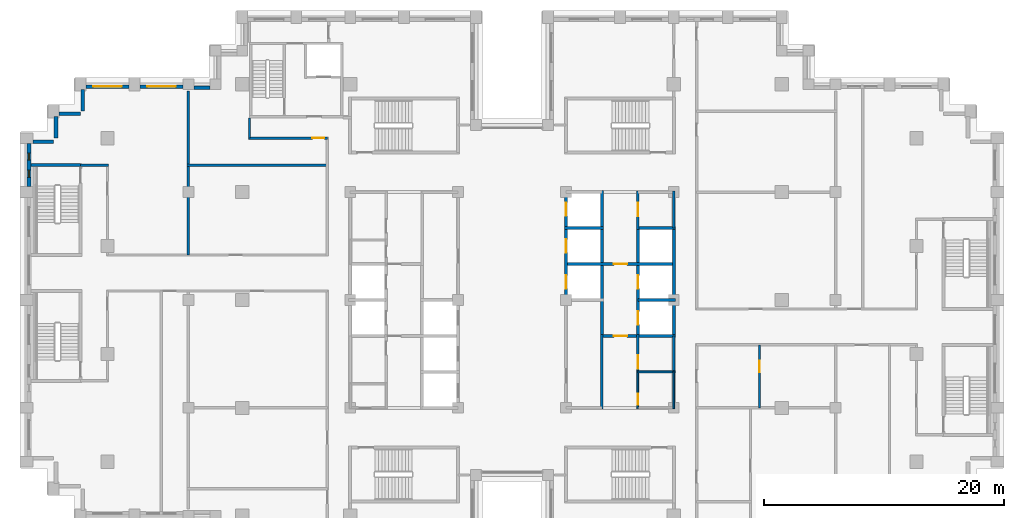
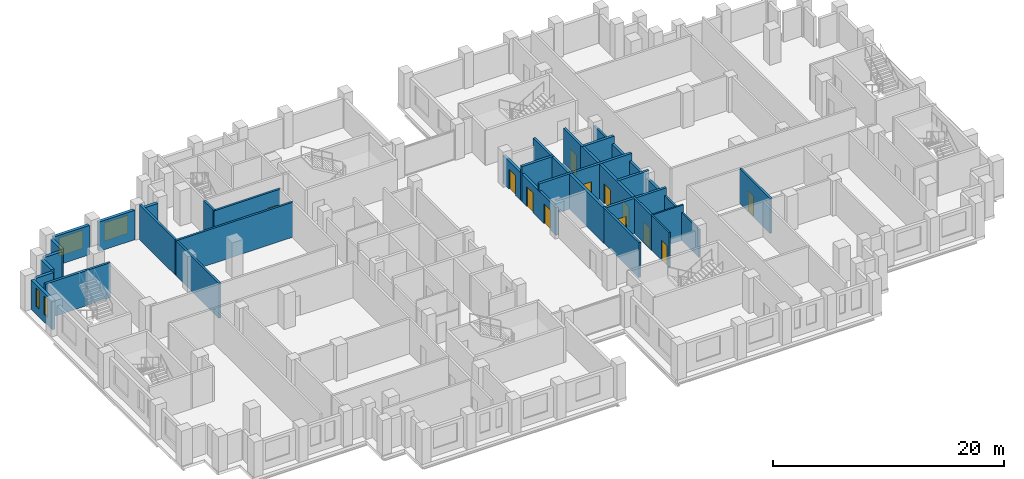
# One storey, part 9 of 15: 32 walls, 12 doors, 4 windows, 16 openings.
"""IFC4 building model written with IfcOpenShell, lengths in metres."""

from ifc_helpers import new_model, si_unit, direction, frame, frame_2d, origin, place, context, subcontext, project, spatial, rectangle, extrude, material, layer, layer_set, type_object, element, fill, save


model = new_model("IFC4")

# Units and contexts
model_context = context("Model", 3, precision=1e-05, world=origin(), true_north=direction((0.0, 1.0)))
body_context = subcontext(model_context, "Body", "Model", "MODEL_VIEW")
ifc_project = project(units=[si_unit("LENGTHUNIT", "METRE"), si_unit("AREAUNIT", "SQUARE_METRE"), si_unit("VOLUMEUNIT", "CUBIC_METRE"), si_unit("PLANEANGLEUNIT", "RADIAN"), si_unit("MASSUNIT", "GRAM", prefix="KILO")], contexts=[model_context])

# Site, building, storey
site_placement = place(None, origin())
site = spatial("IfcSite", under=ifc_project, at=site_placement, CompositionType="ELEMENT")
building_placement = place(site_placement, origin())
building = spatial("IfcBuilding", under=site, at=building_placement, Name="Corbelhall Arena Tower", CompositionType="ELEMENT")
storey_placement = place(building_placement, frame((0.0, 0.0, 146.0)))
storey = spatial("IfcBuildingStorey", under=building, at=storey_placement, Name="L28", CompositionType="ELEMENT", Elevation=146.0)

# Walls
ifc_material_1 = material(Name="Precast concrete C40/50 with granite facing", Category="masonry")
ifc_layer_1 = layer(ifc_material_1, 0.300048828125)
ifc_layer_set_1 = layer_set([ifc_layer_1], Name="EV-IW1 Infill panel 300")
wall_type_1 = type_object("IfcWallType", Name="EV-IW1 Infill panel 300", PredefinedType="SOLIDWALL", material=ifc_layer_set_1)
for number, where, z_axis, x_axis, name in (
    (1, (-35.800048828125, 17.550048828125, 0.0), (0.0, 0.0, 1.0), (0.0, -1.0, 0.0), "Infill panel IW1"),
    (2, (-37.800048828125, 15.550048828125, 0.0), (0.0, 0.0, 1.0), (1.0, 0.0, 0.0), "Infill panel IW1"),
    (3, (-38.050048828125, 15.300048828125, 0.0), (0.0, 0.0, 1.0), (0.0, -1.0, 0.0), "Infill panel IW1"),
):
    element("IfcWall", number, at=place(storey_placement, frame(where, z_axis=z_axis, x_axis=x_axis)), inside=storey, type_object=wall_type_1, Name=name, PredefinedType="SOLIDWALL", context=body_context, shape_type="SweptSolid", body=[
        extrude(rectangle(XDim=1.800048828125, YDim=0.300048828125, at=frame_2d((0.89990234375, 0.0))), origin(), (0.0, 0.0, 1.0), 3.10009765625),
    ])
wall_1_placement = place(storey_placement, frame((-39.949951171875, 13.199951171875, 0.0), z_axis=(0.0, 0.0, 1.0), x_axis=(1.0, 0.0, 0.0)))
element("IfcWall", 4, at=wall_1_placement, inside=storey, type_object=wall_type_1, Name="Infill panel IW1", PredefinedType="SOLIDWALL", context=body_context, shape_type="SweptSolid", body=[
    extrude(rectangle(XDim=1.699951171875, YDim=0.300048828125, at=frame_2d((0.85009765625, 0.0))), origin(), (0.0, 0.0, 1.0), 3.10009765625),
])
wall_2_placement = place(storey_placement, frame((-25.199951171875, 17.699951171875, 0.0), z_axis=(0.0, 0.0, 1.0), x_axis=(-1.0, 0.0, 0.0)))
element("IfcWall", 5, at=wall_2_placement, inside=storey, type_object=wall_type_1, Name="Infill panel IW1", PredefinedType="SOLIDWALL", context=body_context, shape_type="SweptSolid", body=[
    extrude(rectangle(XDim=1.35009765625, YDim=0.300048828125, at=frame_2d((0.675048828125, 0.0))), origin(), (0.0, 0.0, 1.0), 3.10009765625),
])

# Wall, opening, window
wall_3_placement = place(storey_placement, frame((-27.449951171875, 17.800048828125, 0.0), z_axis=(0.0, 0.0, 1.0), x_axis=(-1.0, 0.0, 0.0)))
wall_3 = element("IfcWall", 6, at=wall_3_placement, inside=storey, type_object=wall_type_1, Name="Infill panel IW1", PredefinedType="SOLIDWALL", context=body_context, shape_type="SweptSolid", body=[
    extrude(rectangle(XDim=3.60009765625, YDim=0.300048828125, at=frame_2d((1.800048828125, 0.0))), origin(), (0.0, 0.0, 1.0), 3.10009765625),
])
opening_1_placement = place(wall_3_placement, frame((0.60009765625, 0.0, 0.800048828125)))
opening_1 = element("IfcOpeningElement", 7, at=opening_1_placement, cuts=wall_3, Name="Opening WN1", PredefinedType="OPENING", context=body_context, shape_type="SweptSolid", body=[
    extrude(rectangle(XDim=2.39990234375, YDim=1.949951171875, at=frame_2d((1.199951171875, 0.97509765625))), frame((0.0, 0.14990234375, 0.0), z_axis=(0.0, -1.0, 0.0), x_axis=(1.0, 0.0, 0.0)), (0.0, 0.0, 1.0), 0.300048828125),
])
ifc_material_2 = material(Name="Aluminium black anodised", Category="aluminium")
window_type_1 = type_object("IfcWindowType", Name="EV-WN1 Office window", PartitioningType="SINGLE_PANEL", PredefinedType="WINDOW", material=ifc_material_2)
window_1_placement = place(opening_1_placement, origin())
window_1 = element("IfcWindow", 8, at=window_1_placement, inside=storey, type_object=window_type_1, Name="Window WN1", OverallHeight=1.949951171875, OverallWidth=2.39990234375, PartitioningType="SINGLE_PANEL", PredefinedType="WINDOW", context=body_context, shape_type="SweptSolid", body=[
    extrude(rectangle(XDim=2.39990234375, YDim=1.949951171875, at=frame_2d((1.199951171875, 0.97509765625))), frame((0.0, 0.030029296875, 0.0), z_axis=(0.0, -1.0, 0.0), x_axis=(1.0, 0.0, 0.0)), (0.0, 0.0, 1.0), 0.06005859375),
])
fill(opening_1, window_1)

wall_4_placement = place(storey_placement, frame((-31.949951171875, 17.800048828125, 0.0), z_axis=(0.0, 0.0, 1.0), x_axis=(-1.0, 0.0, 0.0)))
wall_4 = element("IfcWall", 9, at=wall_4_placement, inside=storey, type_object=wall_type_1, Name="Infill panel IW1", PredefinedType="SOLIDWALL", context=body_context, shape_type="SweptSolid", body=[
    extrude(rectangle(XDim=3.60009765625, YDim=0.300048828125, at=frame_2d((1.800048828125, 0.0))), origin(), (0.0, 0.0, 1.0), 3.10009765625),
])
opening_2_placement = place(wall_4_placement, frame((0.60009765625, 0.0, 0.800048828125)))
opening_2 = element("IfcOpeningElement", 10, at=opening_2_placement, cuts=wall_4, Name="Opening WN1", PredefinedType="OPENING", context=body_context, shape_type="SweptSolid", body=[
    extrude(rectangle(XDim=2.39990234375, YDim=1.949951171875, at=frame_2d((1.199951171875, 0.97509765625))), frame((0.0, 0.14990234375, 0.0), z_axis=(0.0, -1.0, 0.0), x_axis=(1.0, 0.0, 0.0)), (0.0, 0.0, 1.0), 0.300048828125),
])
window_2_placement = place(opening_2_placement, origin())
window_2 = element("IfcWindow", 11, at=window_2_placement, inside=storey, type_object=window_type_1, Name="Window WN1", OverallHeight=1.949951171875, OverallWidth=2.39990234375, PartitioningType="SINGLE_PANEL", PredefinedType="WINDOW", context=body_context, shape_type="SweptSolid", body=[
    extrude(rectangle(XDim=2.39990234375, YDim=1.949951171875, at=frame_2d((1.199951171875, 0.97509765625))), frame((0.0, 0.030029296875, 0.0), z_axis=(0.0, -1.0, 0.0), x_axis=(1.0, 0.0, 0.0)), (0.0, 0.0, 1.0), 0.06005859375),
])
fill(opening_2, window_2)

# Wall, openings, windows
wall_5_placement = place(storey_placement, frame((-40.300048828125, 13.050048828125, 0.0), z_axis=(0.0, 0.0, 1.0), x_axis=(0.0, -1.0, 0.0)))
wall_5 = element("IfcWall", 12, at=wall_5_placement, inside=storey, type_object=wall_type_1, Name="Infill panel IW1", PredefinedType="SOLIDWALL", context=body_context, shape_type="SweptSolid", body=[
    extrude(rectangle(XDim=3.60009765625, YDim=0.300048828125, at=frame_2d((1.800048828125, 0.0))), origin(), (0.0, 0.0, 1.0), 3.10009765625),
])
opening_3_placement = place(wall_5_placement, frame((0.78759765625, 0.0, 0.800048828125)))
opening_3 = element("IfcOpeningElement", 13, at=opening_3_placement, cuts=wall_5, Name="Opening WN5", PredefinedType="OPENING", context=body_context, shape_type="SweptSolid", body=[
    extrude(rectangle(XDim=0.60009765625, YDim=1.949951171875, at=frame_2d((0.300048828125, 0.97509765625))), frame((0.0, 0.14990234375, 0.0), z_axis=(0.0, -1.0, 0.0), x_axis=(1.0, 0.0, 0.0)), (0.0, 0.0, 1.0), 0.300048828125),
])
opening_4_placement = place(wall_5_placement, frame((2.21240234375, 0.0, 0.800048828125)))
opening_4 = element("IfcOpeningElement", 14, at=opening_4_placement, cuts=wall_5, Name="Opening WN5", PredefinedType="OPENING", context=body_context, shape_type="SweptSolid", body=[
    extrude(rectangle(XDim=0.60009765625, YDim=1.949951171875, at=frame_2d((0.300048828125, 0.97509765625))), frame((0.0, 0.14990234375, 0.0), z_axis=(0.0, -1.0, 0.0), x_axis=(1.0, 0.0, 0.0)), (0.0, 0.0, 1.0), 0.300048828125),
])
window_type_2 = type_object("IfcWindowType", Name="EV-WN5 Office window 600", PartitioningType="SINGLE_PANEL", PredefinedType="WINDOW", material=ifc_material_2)
window_3_placement = place(opening_3_placement, origin())
window_3 = element("IfcWindow", 15, at=window_3_placement, inside=storey, type_object=window_type_2, Name="Window WN5", OverallHeight=1.949951171875, OverallWidth=0.60009765625, PartitioningType="SINGLE_PANEL", PredefinedType="WINDOW", context=body_context, shape_type="SweptSolid", body=[
    extrude(rectangle(XDim=0.60009765625, YDim=1.949951171875, at=frame_2d((0.300048828125, 0.97509765625))), frame((0.0, 0.030029296875, 0.0), z_axis=(0.0, -1.0, 0.0), x_axis=(1.0, 0.0, 0.0)), (0.0, 0.0, 1.0), 0.06005859375),
])
fill(opening_3, window_3)
window_4_placement = place(opening_4_placement, origin())
window_4 = element("IfcWindow", 16, at=window_4_placement, inside=storey, type_object=window_type_2, Name="Window WN5", OverallHeight=1.949951171875, OverallWidth=0.60009765625, PartitioningType="SINGLE_PANEL", PredefinedType="WINDOW", context=body_context, shape_type="SweptSolid", body=[
    extrude(rectangle(XDim=0.60009765625, YDim=1.949951171875, at=frame_2d((0.300048828125, 0.97509765625))), frame((0.0, 0.030029296875, 0.0), z_axis=(0.0, -1.0, 0.0), x_axis=(1.0, 0.0, 0.0)), (0.0, 0.0, 1.0), 0.06005859375),
])
fill(opening_4, window_4)

# Walls
ifc_material_3 = material(Name="Gypsum board on steel stud, acoustic", Category="steel")
ifc_layer_2 = layer(ifc_material_3, 0.199951171875)
ifc_layer_set_2 = layer_set([ifc_layer_2], Name="IN-W-DM200")
wall_type_2 = type_object("IfcWallType", Name="IN-W-DM200", PredefinedType="PARTITIONING", material=ifc_layer_set_2)
wall_6_placement = place(storey_placement, frame((-36.0, 11.25, 0.0), z_axis=(0.0, 0.0, 1.0), x_axis=(1.0, 0.0, 0.0)))
element("IfcWall", 17, at=wall_6_placement, inside=storey, type_object=wall_type_2, Name="Partition 001", PredefinedType="PARTITIONING", context=body_context, shape_type="SweptSolid", body=[
    extrude(rectangle(XDim=2.35009765625, YDim=0.199951171875, at=frame_2d((1.175048828125, 0.0))), origin(), (0.0, 0.0, 1.0), 3.699951171875),
])
wall_7_placement = place(storey_placement, frame((-27.10009765625, 11.25, 0.0), z_axis=(0.0, 0.0, 1.0), x_axis=(1.0, 0.0, 0.0)))
element("IfcWall", 18, at=wall_7_placement, inside=storey, type_object=wall_type_2, Name="Partition 010", PredefinedType="PARTITIONING", context=body_context, shape_type="SweptSolid", body=[
    extrude(rectangle(XDim=11.7001953125, YDim=0.199951171875, at=frame_2d((5.85009765625, 0.0))), origin(), (0.0, 0.0, 1.0), 3.699951171875),
])
wall_8_placement = place(storey_placement, frame((-27.0, 3.75, 0.0), z_axis=(0.0, 0.0, 1.0), x_axis=(0.0, 1.0, 0.0)))
element("IfcWall", 19, at=wall_8_placement, inside=storey, type_object=wall_type_2, Name="Partition 012", PredefinedType="PARTITIONING", context=body_context, shape_type="SweptSolid", body=[
    extrude(rectangle(XDim=13.699951171875, YDim=0.199951171875, at=frame_2d((6.85009765625, 0.0))), origin(), (0.0, 0.0, 1.0), 3.699951171875),
])
wall_9_placement = place(storey_placement, frame((-21.89990234375, 13.5, 0.0), z_axis=(0.0, 0.0, 1.0), x_axis=(0.0, 1.0, 0.0)))
element("IfcWall", 20, at=wall_9_placement, inside=storey, type_object=wall_type_2, Name="Partition 014", PredefinedType="PARTITIONING", context=body_context, shape_type="SweptSolid", body=[
    extrude(rectangle(XDim=1.699951171875, YDim=0.199951171875, at=frame_2d((0.85009765625, 0.0))), origin(), (0.0, 0.0, 1.0), 3.699951171875),
])

# Wall, opening, door
wall_10_placement = place(storey_placement, frame((-15.39990234375, 13.5, 0.0), z_axis=(0.0, 0.0, 1.0), x_axis=(-1.0, 0.0, 0.0)))
wall_10 = element("IfcWall", 21, at=wall_10_placement, inside=storey, type_object=wall_type_2, Name="Partition 018", PredefinedType="PARTITIONING", context=body_context, shape_type="SweptSolid", body=[
    extrude(rectangle(XDim=6.60009765625, YDim=0.199951171875, at=frame_2d((3.300048828125, 0.0))), origin(), (0.0, 0.0, 1.0), 3.699951171875),
])
opening_5_placement = place(wall_10_placement, frame((0.25, 0.0, 0.0)))
opening_5 = element("IfcOpeningElement", 22, at=opening_5_placement, cuts=wall_10, Name="Opening 07027", PredefinedType="OPENING", context=body_context, shape_type="SweptSolid", body=[
    extrude(rectangle(XDim=1.0, YDim=2.10009765625, at=frame_2d((0.5, 1.050048828125))), frame((0.0, 0.10009765625, 0.0), z_axis=(0.0, -1.0, 0.0), x_axis=(1.0, 0.0, 0.0)), (0.0, 0.0, 1.0), 0.199951171875),
])
ifc_material_4 = material(Name="Steel door set", Category="steel")
door_type_1 = type_object("IfcDoorType", Name="IN-D-SW100", OperationType="NOTDEFINED", PredefinedType="DOOR", material=ifc_material_4)
door_1_placement = place(opening_5_placement, origin())
door_1 = element("IfcDoor", 23, at=door_1_placement, inside=storey, type_object=door_type_1, Name="Door 027", OperationType="SINGLE_SWING_RIGHT", OverallHeight=2.10009765625, OverallWidth=1.0, PredefinedType="DOOR", context=body_context, shape_type="SweptSolid", body=[
    extrude(rectangle(XDim=1.0, YDim=2.10009765625, at=frame_2d((0.5, 1.050048828125))), frame((0.0, 0.02490234375, 0.0), z_axis=(0.0, -1.0, 0.0), x_axis=(1.0, 0.0, 0.0)), (0.0, 0.0, 1.0), 0.050048828125),
])
fill(opening_5, door_1)

wall_11_placement = place(storey_placement, frame((20.64990234375, -3.75, 0.0), z_axis=(0.0, 0.0, 1.0), x_axis=(0.0, -1.0, 0.0)))
wall_11 = element("IfcWall", 24, at=wall_11_placement, inside=storey, type_object=wall_type_2, Name="Partition 036", PredefinedType="PARTITIONING", context=body_context, shape_type="SweptSolid", body=[
    extrude(rectangle(XDim=5.25, YDim=0.199951171875, at=frame_2d((2.625, 0.0))), origin(), (0.0, 0.0, 1.0), 3.699951171875),
])
opening_6_placement = place(wall_11_placement, frame((1.300048828125, 0.0, 0.0)))
opening_6 = element("IfcOpeningElement", 25, at=opening_6_placement, cuts=wall_11, Name="Opening 07039", PredefinedType="OPENING", context=body_context, shape_type="SweptSolid", body=[
    extrude(rectangle(XDim=1.0, YDim=2.10009765625, at=frame_2d((0.5, 1.050048828125))), frame((0.0, 0.10009765625, 0.0), z_axis=(0.0, -1.0, 0.0), x_axis=(1.0, 0.0, 0.0)), (0.0, 0.0, 1.0), 0.199951171875),
])
door_2_placement = place(opening_6_placement, origin())
door_2 = element("IfcDoor", 26, at=door_2_placement, inside=storey, type_object=door_type_1, Name="Door 039", OperationType="SINGLE_SWING_RIGHT", OverallHeight=2.10009765625, OverallWidth=1.0, PredefinedType="DOOR", context=body_context, shape_type="SweptSolid", body=[
    extrude(rectangle(XDim=1.0, YDim=2.10009765625, at=frame_2d((0.5, 1.050048828125))), frame((0.0, 0.02490234375, 0.0), z_axis=(0.0, -1.0, 0.0), x_axis=(1.0, 0.0, 0.0)), (0.0, 0.0, 1.0), 0.050048828125),
])
fill(opening_6, door_2)

# Wall
ifc_material_5 = material(Name="Concrete block wall", Category="concrete")
ifc_layer_3 = layer(ifc_material_5, 0.199951171875)
ifc_layer_set_3 = layer_set([ifc_layer_3], Name="IN-W-RS200")
wall_type_3 = type_object("IfcWallType", Name="IN-W-RS200", PredefinedType="SOLIDWALL", material=ifc_layer_set_3)
wall_12_placement = place(storey_placement, frame((7.5, -2.875, 0.0), z_axis=(0.0, 0.0, 1.0), x_axis=(0.0, -1.0, 0.0)))
element("IfcWall", 27, at=wall_12_placement, inside=storey, type_object=wall_type_3, Name="Partition 056", PredefinedType="SOLIDWALL", context=body_context, shape_type="SweptSolid", body=[
    extrude(rectangle(XDim=6.22509765625, YDim=0.199951171875, at=frame_2d((3.112548828125, 0.0))), origin(), (0.0, 0.0, 1.0), 3.699951171875),
])

# Wall, opening, door
wall_13_placement = place(storey_placement, frame((10.5, -2.875, 0.0), z_axis=(0.0, 0.0, 1.0), x_axis=(0.0, -1.0, 0.0)))
wall_13 = element("IfcWall", 28, at=wall_13_placement, inside=storey, type_object=wall_type_3, Name="Partition 057", PredefinedType="SOLIDWALL", context=body_context, shape_type="SweptSolid", body=[
    extrude(rectangle(XDim=3.199951171875, YDim=0.199951171875, at=frame_2d((1.60009765625, 0.0))), origin(), (0.0, 0.0, 1.0), 3.699951171875),
])
opening_7_placement = place(wall_13_placement, frame((1.75, 0.0, 0.0)))
opening_7 = element("IfcOpeningElement", 29, at=opening_7_placement, cuts=wall_13, Name="Opening 07012", PredefinedType="OPENING", context=body_context, shape_type="SweptSolid", body=[
    extrude(rectangle(XDim=1.10009765625, YDim=2.10009765625, at=frame_2d((0.550048828125, 1.050048828125))), frame((0.0, 0.10009765625, 0.0), z_axis=(0.0, -1.0, 0.0), x_axis=(1.0, 0.0, 0.0)), (0.0, 0.0, 1.0), 0.199951171875),
])
door_type_2 = type_object("IfcDoorType", Name="IN-D-FD110", OperationType="NOTDEFINED", PredefinedType="DOOR", material=ifc_material_4)
door_3_placement = place(opening_7_placement, origin())
door_3 = element("IfcDoor", 30, at=door_3_placement, inside=storey, type_object=door_type_2, Name="Door 012", OperationType="SINGLE_SWING_LEFT", OverallHeight=2.10009765625, OverallWidth=1.10009765625, PredefinedType="DOOR", context=body_context, shape_type="SweptSolid", body=[
    extrude(rectangle(XDim=1.10009765625, YDim=2.10009765625, at=frame_2d((0.550048828125, 1.050048828125))), frame((0.0, 0.02490234375, 0.0), z_axis=(0.0, -1.0, 0.0), x_axis=(1.0, 0.0, 0.0)), (0.0, 0.0, 1.0), 0.050048828125),
])
fill(opening_7, door_3)

wall_14_placement = place(storey_placement, frame((10.5, 9.10009765625, 0.0), z_axis=(0.0, 0.0, 1.0), x_axis=(0.0, -1.0, 0.0)))
wall_14 = element("IfcWall", 31, at=wall_14_placement, inside=storey, type_object=wall_type_3, Name="Partition 059", PredefinedType="SOLIDWALL", context=body_context, shape_type="SweptSolid", body=[
    extrude(rectangle(XDim=3.22509765625, YDim=0.199951171875, at=frame_2d((1.612548828125, 0.0))), origin(), (0.0, 0.0, 1.0), 3.699951171875),
])
opening_8_placement = place(wall_14_placement, frame((1.0, 0.0, 0.0)))
opening_8 = element("IfcOpeningElement", 32, at=opening_8_placement, cuts=wall_14, Name="Opening 07013", PredefinedType="OPENING", context=body_context, shape_type="SweptSolid", body=[
    extrude(rectangle(XDim=1.10009765625, YDim=2.10009765625, at=frame_2d((0.550048828125, 1.050048828125))), frame((0.0, 0.10009765625, 0.0), z_axis=(0.0, -1.0, 0.0), x_axis=(1.0, 0.0, 0.0)), (0.0, 0.0, 1.0), 0.199951171875),
])
door_4_placement = place(opening_8_placement, origin())
door_4 = element("IfcDoor", 33, at=door_4_placement, inside=storey, type_object=door_type_2, Name="Door 013", OperationType="SINGLE_SWING_RIGHT", OverallHeight=2.10009765625, OverallWidth=1.10009765625, PredefinedType="DOOR", context=body_context, shape_type="SweptSolid", body=[
    extrude(rectangle(XDim=1.10009765625, YDim=2.10009765625, at=frame_2d((0.550048828125, 1.050048828125))), frame((0.0, 0.02490234375, 0.0), z_axis=(0.0, -1.0, 0.0), x_axis=(1.0, 0.0, 0.0)), (0.0, 0.0, 1.0), 0.050048828125),
])
fill(opening_8, door_4)

# Walls
ifc_layer_4 = layer(ifc_material_5, 0.199951171875)
ifc_layer_set_4 = layer_set([ifc_layer_4], Name="IN-W-RS200 under beam 762 mm")
wall_type_4 = type_object("IfcWallType", Name="IN-W-RS200 under beam 762 mm", PredefinedType="SOLIDWALL", material=ifc_layer_set_4)
wall_15_placement = place(storey_placement, frame((13.5, -3.0, 0.0), z_axis=(0.0, 0.0, 1.0), x_axis=(0.0, -1.0, 0.0)))
element("IfcWall", 34, at=wall_15_placement, inside=storey, type_object=wall_type_4, Name="Partition 060", PredefinedType="SOLIDWALL", context=body_context, shape_type="SweptSolid", body=[
    extrude(rectangle(XDim=3.0, YDim=0.199951171875, at=frame_2d((1.5, 0.0))), origin(), (0.0, 0.0, 1.0), 2.93798828125),
])
wall_16_placement = place(storey_placement, frame((13.5, 9.10009765625, 0.0), z_axis=(0.0, 0.0, 1.0), x_axis=(0.0, -1.0, 0.0)))
element("IfcWall", 35, at=wall_16_placement, inside=storey, type_object=wall_type_4, Name="Partition 061", PredefinedType="SOLIDWALL", context=body_context, shape_type="SweptSolid", body=[
    extrude(rectangle(XDim=3.10009765625, YDim=0.199951171875, at=frame_2d((1.550048828125, 0.0))), origin(), (0.0, 0.0, 1.0), 2.93798828125),
])

# Wall, opening, door
ifc_material_6 = material(Name="Concrete C40/50", Category="concrete")
ifc_layer_5 = layer(ifc_material_6, 0.25)
ifc_layer_set_5 = layer_set([ifc_layer_5], Name="IN-W-SH250")
wall_type_5 = type_object("IfcWallType", Name="IN-W-SH250", PredefinedType="SOLIDWALL", material=ifc_layer_set_5)
wall_17_placement = place(storey_placement, frame((4.375, 3.0, 0.0), z_axis=(0.0, 0.0, 1.0), x_axis=(1.0, 0.0, 0.0)))
wall_17 = element("IfcWall", 36, at=wall_17_placement, inside=storey, type_object=wall_type_5, Name="Shaft wall 073", PredefinedType="SOLIDWALL", context=body_context, shape_type="SweptSolid", body=[
    extrude(rectangle(XDim=9.25, YDim=0.25, at=frame_2d((4.625, 0.0))), origin(), (0.0, 0.0, 1.0), 3.699951171875),
])
opening_9_placement = place(wall_17_placement, frame((4.125, 0.0, 0.0)))
opening_9 = element("IfcOpeningElement", 37, at=opening_9_placement, cuts=wall_17, Name="Opening 07010", PredefinedType="OPENING", context=body_context, shape_type="SweptSolid", body=[
    extrude(rectangle(XDim=1.10009765625, YDim=2.10009765625, at=frame_2d((0.550048828125, 1.050048828125))), frame((0.0, 0.125, 0.0), z_axis=(0.0, -1.0, 0.0), x_axis=(1.0, 0.0, 0.0)), (0.0, 0.0, 1.0), 0.25),
])
door_5_placement = place(opening_9_placement, origin())
door_5 = element("IfcDoor", 38, at=door_5_placement, inside=storey, type_object=door_type_2, Name="Door 010", OperationType="SINGLE_SWING_LEFT", OverallHeight=2.10009765625, OverallWidth=1.10009765625, PredefinedType="DOOR", context=body_context, shape_type="SweptSolid", body=[
    extrude(rectangle(XDim=1.10009765625, YDim=2.10009765625, at=frame_2d((0.550048828125, 1.050048828125))), frame((0.0, 0.02490234375, 0.0), z_axis=(0.0, -1.0, 0.0), x_axis=(1.0, 0.0, 0.0)), (0.0, 0.0, 1.0), 0.050048828125),
])
fill(opening_9, door_5)

# Wall
wall_18_placement = place(storey_placement, frame((4.375, 6.0, 0.0), z_axis=(0.0, 0.0, 1.0), x_axis=(1.0, 0.0, 0.0)))
element("IfcWall", 39, at=wall_18_placement, inside=storey, type_object=wall_type_5, Name="Shaft wall 074", PredefinedType="SOLIDWALL", context=body_context, shape_type="SweptSolid", body=[
    extrude(rectangle(XDim=3.25, YDim=0.25, at=frame_2d((1.625, 0.0))), origin(), (0.0, 0.0, 1.0), 3.699951171875),
])

# Wall, opening, door
wall_19_placement = place(storey_placement, frame((7.5, -3.0, 0.0), z_axis=(0.0, 0.0, 1.0), x_axis=(1.0, 0.0, 0.0)))
wall_19 = element("IfcWall", 40, at=wall_19_placement, inside=storey, type_object=wall_type_5, Name="Shaft wall 077", PredefinedType="SOLIDWALL", context=body_context, shape_type="SweptSolid", body=[
    extrude(rectangle(XDim=6.125, YDim=0.25, at=frame_2d((3.0625, 0.0))), origin(), (0.0, 0.0, 1.0), 3.699951171875),
])
opening_10_placement = place(wall_19_placement, frame((1.0, 0.0, 0.0)))
opening_10 = element("IfcOpeningElement", 41, at=opening_10_placement, cuts=wall_19, Name="Opening 07009", PredefinedType="OPENING", context=body_context, shape_type="SweptSolid", body=[
    extrude(rectangle(XDim=1.10009765625, YDim=2.10009765625, at=frame_2d((0.550048828125, 1.050048828125))), frame((0.0, 0.125, 0.0), z_axis=(0.0, -1.0, 0.0), x_axis=(1.0, 0.0, 0.0)), (0.0, 0.0, 1.0), 0.25),
])
door_6_placement = place(opening_10_placement, origin())
door_6 = element("IfcDoor", 42, at=door_6_placement, inside=storey, type_object=door_type_2, Name="Door 009", OperationType="SINGLE_SWING_RIGHT", OverallHeight=2.10009765625, OverallWidth=1.10009765625, PredefinedType="DOOR", context=body_context, shape_type="SweptSolid", body=[
    extrude(rectangle(XDim=1.10009765625, YDim=2.10009765625, at=frame_2d((0.550048828125, 1.050048828125))), frame((0.0, 0.02490234375, 0.0), z_axis=(0.0, -1.0, 0.0), x_axis=(1.0, 0.0, 0.0)), (0.0, 0.0, 1.0), 0.050048828125),
])
fill(opening_10, door_6)

# Walls
wall_20_placement = place(storey_placement, frame((7.5, 9.125, 0.0), z_axis=(0.0, 0.0, 1.0), x_axis=(0.0, -1.0, 0.0)))
element("IfcWall", 43, at=wall_20_placement, inside=storey, type_object=wall_type_5, Name="Shaft wall 078", PredefinedType="SOLIDWALL", context=body_context, shape_type="SweptSolid", body=[
    extrude(rectangle(XDim=12.25, YDim=0.25, at=frame_2d((6.125, 0.0))), origin(), (0.0, 0.0, 1.0), 3.699951171875),
])
wall_21_placement = place(storey_placement, frame((10.5, 0.0, 0.0), z_axis=(0.0, 0.0, 1.0), x_axis=(1.0, 0.0, 0.0)))
element("IfcWall", 44, at=wall_21_placement, inside=storey, type_object=wall_type_5, Name="Shaft wall 079", PredefinedType="SOLIDWALL", context=body_context, shape_type="SweptSolid", body=[
    extrude(rectangle(XDim=3.125, YDim=0.25, at=frame_2d((1.5625, 0.0))), origin(), (0.0, 0.0, 1.0), 3.699951171875),
])

# Wall, openings, doors
wall_22_placement = place(storey_placement, frame((10.5, 6.125, 0.0), z_axis=(0.0, 0.0, 1.0), x_axis=(0.0, -1.0, 0.0)))
wall_22 = element("IfcWall", 45, at=wall_22_placement, inside=storey, type_object=wall_type_5, Name="Shaft wall 080", PredefinedType="SOLIDWALL", context=body_context, shape_type="SweptSolid", body=[
    extrude(rectangle(XDim=9.25, YDim=0.25, at=frame_2d((4.625, 0.0))), origin(), (0.0, 0.0, 1.0), 3.699951171875),
])
opening_11_placement = place(wall_22_placement, frame((7.074951171875, 0.0, 0.0)))
opening_11 = element("IfcOpeningElement", 46, at=opening_11_placement, cuts=wall_22, Name="Opening LD", PredefinedType="OPENING", context=body_context, shape_type="SweptSolid", body=[
    extrude(rectangle(XDim=1.10009765625, YDim=2.10009765625, at=frame_2d((0.550048828125, 1.050048828125))), frame((0.0, 0.125, 0.0), z_axis=(0.0, -1.0, 0.0), x_axis=(1.0, 0.0, 0.0)), (0.0, 0.0, 1.0), 0.25),
])
opening_12_placement = place(wall_22_placement, frame((4.074951171875, 0.0, 0.0)))
opening_12 = element("IfcOpeningElement", 47, at=opening_12_placement, cuts=wall_22, Name="Opening LD", PredefinedType="OPENING", context=body_context, shape_type="SweptSolid", body=[
    extrude(rectangle(XDim=1.10009765625, YDim=2.10009765625, at=frame_2d((0.550048828125, 1.050048828125))), frame((0.0, 0.125, 0.0), z_axis=(0.0, -1.0, 0.0), x_axis=(1.0, 0.0, 0.0)), (0.0, 0.0, 1.0), 0.25),
])
door_type_3 = type_object("IfcDoorType", Name="IN-D-LD110", OperationType="NOTDEFINED", PredefinedType="DOOR", material=ifc_material_4)
door_7_placement = place(opening_11_placement, origin())
door_7 = element("IfcDoor", 48, at=door_7_placement, inside=storey, type_object=door_type_3, Name="Landing door E3", OperationType="SLIDING_TO_LEFT", OverallHeight=2.10009765625, OverallWidth=1.10009765625, PredefinedType="DOOR", context=body_context, shape_type="SweptSolid", body=[
    extrude(rectangle(XDim=1.10009765625, YDim=2.10009765625, at=frame_2d((0.550048828125, 1.050048828125))), frame((0.0, 0.02490234375, 0.0), z_axis=(0.0, -1.0, 0.0), x_axis=(1.0, 0.0, 0.0)), (0.0, 0.0, 1.0), 0.050048828125),
])
fill(opening_11, door_7)
door_8_placement = place(opening_12_placement, origin())
door_8 = element("IfcDoor", 49, at=door_8_placement, inside=storey, type_object=door_type_3, Name="Landing door E4", OperationType="SLIDING_TO_LEFT", OverallHeight=2.10009765625, OverallWidth=1.10009765625, PredefinedType="DOOR", context=body_context, shape_type="SweptSolid", body=[
    extrude(rectangle(XDim=1.10009765625, YDim=2.10009765625, at=frame_2d((0.550048828125, 1.050048828125))), frame((0.0, 0.02490234375, 0.0), z_axis=(0.0, -1.0, 0.0), x_axis=(1.0, 0.0, 0.0)), (0.0, 0.0, 1.0), 0.050048828125),
])
fill(opening_12, door_8)

# Wall
wall_23_placement = place(storey_placement, frame((10.5, 6.0, 0.0), z_axis=(0.0, 0.0, 1.0), x_axis=(1.0, 0.0, 0.0)))
element("IfcWall", 50, at=wall_23_placement, inside=storey, type_object=wall_type_5, Name="Shaft wall 081", PredefinedType="SOLIDWALL", context=body_context, shape_type="SweptSolid", body=[
    extrude(rectangle(XDim=3.125, YDim=0.25, at=frame_2d((1.5625, 0.0))), origin(), (0.0, 0.0, 1.0), 3.699951171875),
])

# Wall, openings, doors
ifc_layer_6 = layer(ifc_material_6, 0.25)
ifc_layer_set_6 = layer_set([ifc_layer_6], Name="IN-W-SH250 under beam 762 mm")
wall_type_6 = type_object("IfcWallType", Name="IN-W-SH250 under beam 762 mm", PredefinedType="SOLIDWALL", material=ifc_layer_set_6)
wall_24_placement = place(storey_placement, frame((4.5, 0.0, 0.0), z_axis=(0.0, 0.0, 1.0), x_axis=(0.0, 1.0, 0.0)))
wall_24 = element("IfcWall", 51, at=wall_24_placement, inside=storey, type_object=wall_type_6, Name="Shaft wall 075", PredefinedType="SOLIDWALL", context=body_context, shape_type="SweptSolid", body=[
    extrude(rectangle(XDim=9.125, YDim=0.25, at=frame_2d((4.5625, 0.0))), origin(), (0.0, 0.0, 1.0), 2.93798828125),
])
opening_13_placement = place(wall_24_placement, frame((0.949951171875, 0.0, 0.0)))
opening_13 = element("IfcOpeningElement", 52, at=opening_13_placement, cuts=wall_24, Name="Opening LD", PredefinedType="OPENING", context=body_context, shape_type="SweptSolid", body=[
    extrude(rectangle(XDim=1.10009765625, YDim=2.10009765625, at=frame_2d((0.550048828125, 1.050048828125))), frame((0.0, 0.125, 0.0), z_axis=(0.0, -1.0, 0.0), x_axis=(1.0, 0.0, 0.0)), (0.0, 0.0, 1.0), 0.25),
])
opening_14_placement = place(wall_24_placement, frame((3.949951171875, 0.0, 0.0)))
opening_14 = element("IfcOpeningElement", 53, at=opening_14_placement, cuts=wall_24, Name="Opening LD", PredefinedType="OPENING", context=body_context, shape_type="SweptSolid", body=[
    extrude(rectangle(XDim=1.10009765625, YDim=2.10009765625, at=frame_2d((0.550048828125, 1.050048828125))), frame((0.0, 0.125, 0.0), z_axis=(0.0, -1.0, 0.0), x_axis=(1.0, 0.0, 0.0)), (0.0, 0.0, 1.0), 0.25),
])
opening_15_placement = place(wall_24_placement, frame((7.012451171875, 0.0, 0.0)))
opening_15 = element("IfcOpeningElement", 54, at=opening_15_placement, cuts=wall_24, Name="Opening LD", PredefinedType="OPENING", context=body_context, shape_type="SweptSolid", body=[
    extrude(rectangle(XDim=1.10009765625, YDim=2.10009765625, at=frame_2d((0.550048828125, 1.050048828125))), frame((0.0, 0.125, 0.0), z_axis=(0.0, -1.0, 0.0), x_axis=(1.0, 0.0, 0.0)), (0.0, 0.0, 1.0), 0.25),
])
door_9_placement = place(opening_13_placement, origin())
door_9 = element("IfcDoor", 55, at=door_9_placement, inside=storey, type_object=door_type_3, Name="Landing door E4", OperationType="SLIDING_TO_LEFT", OverallHeight=2.10009765625, OverallWidth=1.10009765625, PredefinedType="DOOR", context=body_context, shape_type="SweptSolid", body=[
    extrude(rectangle(XDim=1.10009765625, YDim=2.10009765625, at=frame_2d((0.550048828125, 1.050048828125))), frame((0.0, 0.02490234375, 0.0), z_axis=(0.0, -1.0, 0.0), x_axis=(1.0, 0.0, 0.0)), (0.0, 0.0, 1.0), 0.050048828125),
])
fill(opening_13, door_9)
door_10_placement = place(opening_14_placement, origin())
door_10 = element("IfcDoor", 56, at=door_10_placement, inside=storey, type_object=door_type_3, Name="Landing door E5", OperationType="SLIDING_TO_LEFT", OverallHeight=2.10009765625, OverallWidth=1.10009765625, PredefinedType="DOOR", context=body_context, shape_type="SweptSolid", body=[
    extrude(rectangle(XDim=1.10009765625, YDim=2.10009765625, at=frame_2d((0.550048828125, 1.050048828125))), frame((0.0, 0.02490234375, 0.0), z_axis=(0.0, -1.0, 0.0), x_axis=(1.0, 0.0, 0.0)), (0.0, 0.0, 1.0), 0.050048828125),
])
fill(opening_14, door_10)
door_11_placement = place(opening_15_placement, origin())
door_11 = element("IfcDoor", 57, at=door_11_placement, inside=storey, type_object=door_type_3, Name="Landing door E6", OperationType="SLIDING_TO_LEFT", OverallHeight=2.10009765625, OverallWidth=1.10009765625, PredefinedType="DOOR", context=body_context, shape_type="SweptSolid", body=[
    extrude(rectangle(XDim=1.10009765625, YDim=2.10009765625, at=frame_2d((0.550048828125, 1.050048828125))), frame((0.0, 0.02490234375, 0.0), z_axis=(0.0, -1.0, 0.0), x_axis=(1.0, 0.0, 0.0)), (0.0, 0.0, 1.0), 0.050048828125),
])
fill(opening_15, door_11)

# Walls
wall_25_placement = place(storey_placement, frame((13.5, 6.0, 0.0), z_axis=(0.0, 0.0, 1.0), x_axis=(0.0, -1.0, 0.0)))
element("IfcWall", 58, at=wall_25_placement, inside=storey, type_object=wall_type_6, Name="Shaft wall 082", PredefinedType="SOLIDWALL", context=body_context, shape_type="SweptSolid", body=[
    extrude(rectangle(XDim=9.0, YDim=0.25, at=frame_2d((4.5, 0.0))), origin(), (0.0, 0.0, 1.0), 2.93798828125),
])
ifc_layer_7 = layer(ifc_material_6, 0.25)
ifc_layer_set_7 = layer_set([ifc_layer_7], Name="IN-W-ST250")
wall_type_7 = type_object("IfcWallType", Name="IN-W-ST250", PredefinedType="SOLIDWALL", material=ifc_layer_set_7)
wall_26_placement = place(storey_placement, frame((-40.14990234375, 11.25, 0.0), z_axis=(0.0, 0.0, 1.0), x_axis=(1.0, 0.0, 0.0)))
element("IfcWall", 59, at=wall_26_placement, inside=storey, type_object=wall_type_7, Name="Shaft wall 084", PredefinedType="SOLIDWALL", context=body_context, shape_type="SweptSolid", body=[
    extrude(rectangle(XDim=4.14990234375, YDim=0.25, at=frame_2d((2.074951171875, 0.0))), origin(), (0.0, 0.0, 1.0), 3.699951171875),
])
ifc_material_7 = material(Name="Gypsum board on steel stud, moisture resistant", Category="steel")
ifc_layer_8 = layer(ifc_material_7, 0.14990234375)
ifc_layer_set_8 = layer_set([ifc_layer_8], Name="IN-W-WC150")
wall_type_8 = type_object("IfcWallType", Name="IN-W-WC150", PredefinedType="PARTITIONING", material=ifc_layer_set_8)
wall_27_placement = place(storey_placement, frame((10.5, -6.0, 0.0), z_axis=(0.0, 0.0, 1.0), x_axis=(1.0, 0.0, 0.0)))
element("IfcWall", 60, at=wall_27_placement, inside=storey, type_object=wall_type_8, Name="Partition 118", PredefinedType="PARTITIONING", context=body_context, shape_type="SweptSolid", body=[
    extrude(rectangle(XDim=3.10009765625, YDim=0.14990234375, at=frame_2d((1.550048828125, 0.0))), origin(), (0.0, 0.0, 1.0), 3.699951171875),
])

# Wall, opening, door
wall_28_placement = place(storey_placement, frame((10.5, -5.925048828125, 0.0), z_axis=(0.0, 0.0, 1.0), x_axis=(0.0, -1.0, 0.0)))
wall_28 = element("IfcWall", 61, at=wall_28_placement, inside=storey, type_object=wall_type_8, Name="Partition 119", PredefinedType="PARTITIONING", context=body_context, shape_type="SweptSolid", body=[
    extrude(rectangle(XDim=3.14990234375, YDim=0.14990234375, at=frame_2d((1.574951171875, 0.0))), origin(), (0.0, 0.0, 1.0), 3.699951171875),
])
opening_16_placement = place(wall_28_placement, frame((1.89990234375, 0.0, 0.0)))
opening_16 = element("IfcOpeningElement", 62, at=opening_16_placement, cuts=wall_28, Name="Opening 07011", PredefinedType="OPENING", context=body_context, shape_type="SweptSolid", body=[
    extrude(rectangle(XDim=0.89990234375, YDim=2.10009765625, at=frame_2d((0.449951171875, 1.050048828125))), frame((0.0, 0.074951171875, 0.0), z_axis=(0.0, -1.0, 0.0), x_axis=(1.0, 0.0, 0.0)), (0.0, 0.0, 1.0), 0.14990234375),
])
ifc_material_8 = material(Name="Timber door set", Category="wood")
door_type_4 = type_object("IfcDoorType", Name="IN-D-SW90", OperationType="NOTDEFINED", PredefinedType="DOOR", material=ifc_material_8)
door_12_placement = place(opening_16_placement, origin())
door_12 = element("IfcDoor", 63, at=door_12_placement, inside=storey, type_object=door_type_4, Name="Door 011", OperationType="SINGLE_SWING_RIGHT", OverallHeight=2.10009765625, OverallWidth=0.89990234375, PredefinedType="DOOR", context=body_context, shape_type="SweptSolid", body=[
    extrude(rectangle(XDim=0.89990234375, YDim=2.10009765625, at=frame_2d((0.449951171875, 1.050048828125))), frame((0.0, 0.02490234375, 0.0), z_axis=(0.0, -1.0, 0.0), x_axis=(1.0, 0.0, 0.0)), (0.0, 0.0, 1.0), 0.050048828125),
])
fill(opening_16, door_12)

# Wall
ifc_layer_9 = layer(ifc_material_7, 0.14990234375)
ifc_layer_set_9 = layer_set([ifc_layer_9], Name="IN-W-WC150 under beam 762 mm")
wall_type_9 = type_object("IfcWallType", Name="IN-W-WC150 under beam 762 mm", PredefinedType="PARTITIONING", material=ifc_layer_set_9)
wall_29_placement = place(storey_placement, frame((13.5, -6.0, 0.0), z_axis=(0.0, 0.0, 1.0), x_axis=(0.0, -1.0, 0.0)))
element("IfcWall", 64, at=wall_29_placement, inside=storey, type_object=wall_type_9, Name="Partition 121", PredefinedType="PARTITIONING", context=body_context, shape_type="SweptSolid", body=[
    extrude(rectangle(XDim=3.074951171875, YDim=0.14990234375, at=frame_2d((1.53759765625, 0.0))), origin(), (0.0, 0.0, 1.0), 2.93798828125),
])

save(model, "model.ifc")
